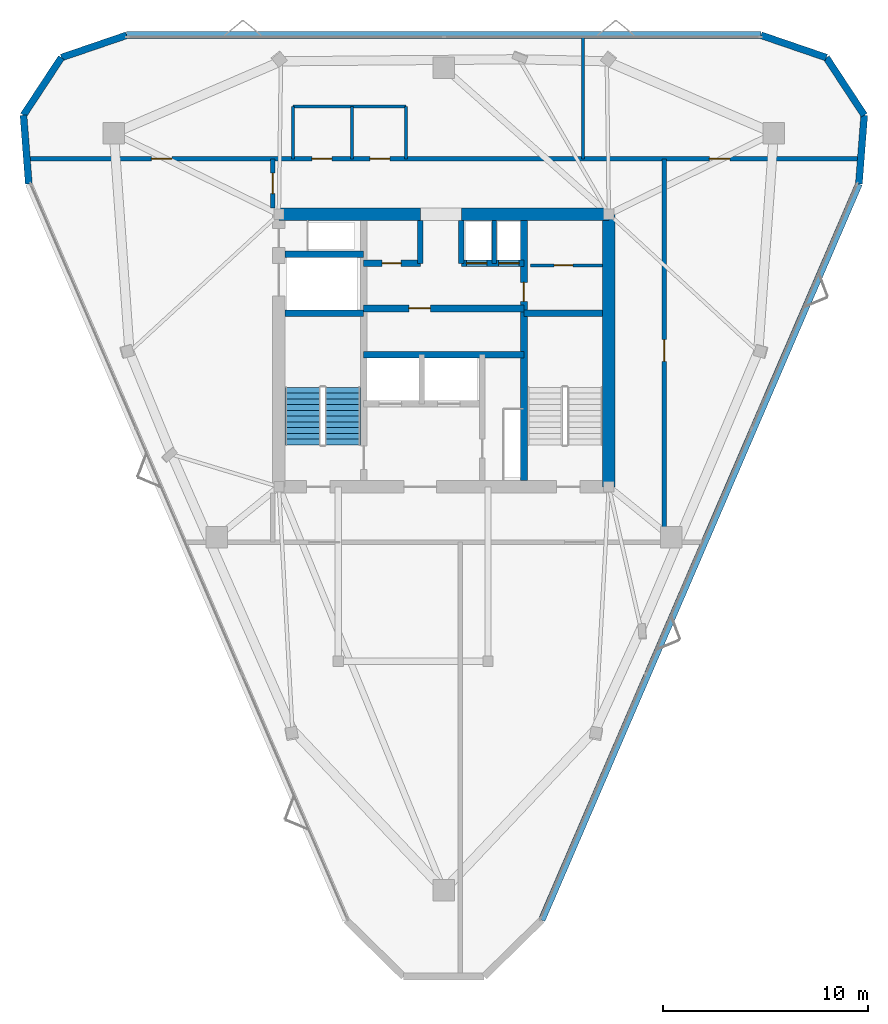
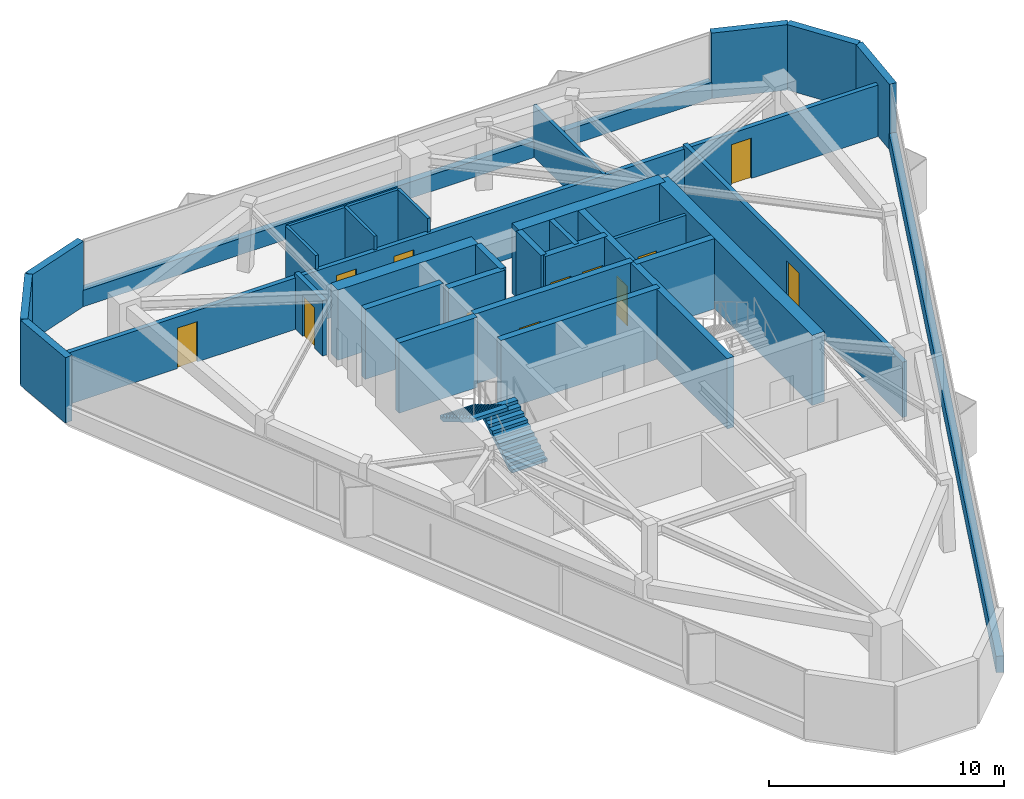
# One storey, part 7 of 9: 31 walls, 12 doors, 2 stair flights, 12 openings, 1 element without a shape of its own.
"""IFC4 building model written with IfcOpenShell, lengths in metres."""

from ifc_helpers import new_model, si_unit, direction, frame, frame_2d, origin, place, context, subcontext, project, spatial, polyline, rectangle, outline, extrude, material, layer, layer_set, type_object, element, fill, aggregate, save


model = new_model("IFC4")

# Units and contexts
model_context = context("Model", 3, precision=1e-05, world=origin(), true_north=direction((0.0, 1.0)))
body_context = subcontext(model_context, "Body", "Model", "MODEL_VIEW")
ifc_project = project(units=[si_unit("LENGTHUNIT", "METRE"), si_unit("AREAUNIT", "SQUARE_METRE"), si_unit("VOLUMEUNIT", "CUBIC_METRE"), si_unit("PLANEANGLEUNIT", "RADIAN"), si_unit("MASSUNIT", "GRAM", prefix="KILO")], contexts=[model_context])

# Site, building, storey
site_placement = place(None, origin())
site = spatial("IfcSite", under=ifc_project, at=site_placement, CompositionType="ELEMENT")
building_placement = place(site_placement, origin())
building = spatial("IfcBuilding", under=site, at=building_placement, Name="Talyreon Biosciences Tower", CompositionType="ELEMENT")
storey_placement = place(building_placement, frame((0.0, 0.0, 305.699951171875)))
storey = spatial("IfcBuildingStorey", under=building, at=storey_placement, Name="L81", CompositionType="ELEMENT", Elevation=305.699951171875)

# Walls
ifc_material_1 = material(Name="Concrete C50/60", Category="concrete")
ifc_layer_1 = layer(ifc_material_1, 0.219970703125)
ifc_layer_set_1 = layer_set([ifc_layer_1], Name="Concrete C50/60")
wall_type_1 = type_object("IfcWallType", Name="CoreShearWall_220", PredefinedType="SHEAR", material=ifc_layer_set_1)
wall_1_placement = place(storey_placement, frame((68.4599609375, 72.25, 0.0), z_axis=(0.0, 0.0, 1.0), x_axis=(0.0, 1.0, 0.0)))
element("IfcWall", 1, at=wall_1_placement, inside=storey, type_object=wall_type_1, Name="L81 Core Shaft Wall SWPHD", PredefinedType="SHEAR", context=body_context, shape_type="SweptSolid", body=[
    extrude(rectangle(XDim=2.10009765625, YDim=0.219970703125, at=frame_2d((1.050048828125, 0.0))), origin(), (0.0, 0.0, 1.0), 3.650146484375),
])
ifc_layer_2 = layer(ifc_material_1, 0.280029296875)
ifc_layer_set_2 = layer_set([ifc_layer_2], Name="Concrete C50/60")
wall_type_2 = type_object("IfcWallType", Name="CoreShearWall_280", PredefinedType="SHEAR", material=ifc_layer_set_2)
for number, where, z_axis, x_axis, name in (
    (2, (64.85009765625, 72.25, 0.0), (0.0, 0.0, 1.0), (0.0, 1.0, 0.0), "L81 Core Shaft Wall SWTHW"),
    (3, (66.85009765625, 72.25, 0.0), (0.0, 0.0, 1.0), (0.0, 1.0, 0.0), "L81 Core Shaft Wall SWTHE"),
):
    element("IfcWall", number, at=place(storey_placement, frame(where, z_axis=z_axis, x_axis=x_axis)), inside=storey, type_object=wall_type_2, Name=name, PredefinedType="SHEAR", context=body_context, shape_type="SweptSolid", body=[
        extrude(rectangle(XDim=2.10009765625, YDim=0.280029296875, at=frame_2d((1.050048828125, 0.0))), origin(), (0.0, 0.0, 1.0), 3.650146484375),
    ])

# Wall, opening, door
ifc_layer_3 = layer(ifc_material_1, 0.320068359375)
ifc_layer_set_3 = layer_set([ifc_layer_3], Name="Concrete C50/60")
wall_type_3 = type_object("IfcWallType", Name="CoreShearWall_320", PredefinedType="SHEAR", material=ifc_layer_set_3)
wall_2_placement = place(storey_placement, frame((69.909912109375, 61.64990234375, 0.0), z_axis=(0.0, 0.0, 1.0), x_axis=(0.0, 1.0, 0.0)))
wall_2 = element("IfcWall", 4, at=wall_2_placement, inside=storey, type_object=wall_type_3, Name="L81 Core Shaft Wall SW2W", PredefinedType="SHEAR", context=body_context, shape_type="SweptSolid", body=[
    extrude(rectangle(XDim=12.7001953125, YDim=0.320068359375, at=frame_2d((6.35009765625, 0.0))), origin(), (0.0, 0.0, 1.0), 3.650146484375),
])
opening_1_placement = place(wall_2_placement, frame((8.75, 0.0, 0.0)))
opening_1 = element("IfcOpeningElement", 5, at=opening_1_placement, cuts=wall_2, Name="Opening DR-L81-CSRV", PredefinedType="OPENING", context=body_context, shape_type="SweptSolid", body=[
    extrude(rectangle(XDim=0.919921875, YDim=2.050048828125, at=frame_2d((0.4599609375, 1.02490234375))), frame((0.0, 0.169921875, 0.0), z_axis=(0.0, -1.0, 0.0), x_axis=(1.0, 0.0, 0.0)), (0.0, 0.0, 1.0), 0.340087890625),
])
ifc_material_2 = material(Name="Painted steel fire-rated riser door", Category="steel")
door_type_1 = type_object("IfcDoorType", Name="RiserPlantAccessDoor_920x2050", OperationType="NOTDEFINED", PredefinedType="DOOR", material=ifc_material_2)
door_1_placement = place(opening_1_placement, origin())
door_1 = element("IfcDoor", 6, at=door_1_placement, inside=storey, type_object=door_type_1, Name="L81 Core Door DR-L81-CSRV", OperationType="SINGLE_SWING_RIGHT", OverallHeight=2.050048828125, OverallWidth=0.919921875, PredefinedType="DOOR", context=body_context, shape_type="SweptSolid", body=[
    extrude(rectangle(XDim=0.919921875, YDim=2.050048828125, at=frame_2d((0.4599609375, 1.02490234375))), frame((0.0, 0.02490234375, 0.0), z_axis=(0.0, -1.0, 0.0), x_axis=(1.0, 0.0, 0.0)), (0.0, 0.0, 1.0), 0.050048828125),
])
fill(opening_1, door_1)

# Walls
for number, where, z_axis, x_axis, name in (
    (7, (58.25, 69.81005859375, 0.0), (0.0, 0.0, 1.0), (1.0, 0.0, 0.0), "L81 Core Shaft Wall SW1N"),
    (8, (69.909912109375, 69.81005859375, 0.0), (0.0, 0.0, 1.0), (1.0, 0.0, 0.0), "L81 Core Shaft Wall SW2N"),
    (9, (58.25, 72.699951171875, 0.0), (0.0, 0.0, 1.0), (1.0, 0.0, 0.0), "L81 Core Shaft Wall SWGLN"),
):
    element("IfcWall", number, at=place(storey_placement, frame(where, z_axis=z_axis, x_axis=x_axis)), inside=storey, type_object=wall_type_3, Name=name, PredefinedType="SHEAR", context=body_context, shape_type="SweptSolid", body=[
        extrude(rectangle(XDim=3.840087890625, YDim=0.320068359375, at=frame_2d((1.919921875, 0.0))), origin(), (0.0, 0.0, 1.0), 3.650146484375),
    ])
wall_3_placement = place(storey_placement, frame((62.090087890625, 67.800048828125, 0.0), z_axis=(0.0, 0.0, 1.0), x_axis=(1.0, 0.0, 0.0)))
element("IfcWall", 10, at=wall_3_placement, inside=storey, type_object=wall_type_3, Name="L81 Core Shaft Wall SWSHM", PredefinedType="SHEAR", context=body_context, shape_type="SweptSolid", body=[
    extrude(rectangle(XDim=7.81982421875, YDim=0.320068359375, at=frame_2d((3.909912109375, 0.0))), origin(), (0.0, 0.0, 1.0), 3.650146484375),
])

# Wall, opening, door
wall_4_placement = place(storey_placement, frame((62.090087890625, 70.050048828125, 0.0), z_axis=(0.0, 0.0, 1.0), x_axis=(1.0, 0.0, 0.0)))
wall_4 = element("IfcWall", 11, at=wall_4_placement, inside=storey, type_object=wall_type_3, Name="L81 Core Shaft Wall SWSPN", PredefinedType="SHEAR", context=body_context, shape_type="SweptSolid", body=[
    extrude(rectangle(XDim=7.81982421875, YDim=0.320068359375, at=frame_2d((3.909912109375, 0.0))), origin(), (0.0, 0.0, 1.0), 3.650146484375),
])
opening_2_placement = place(wall_4_placement, frame((2.199951171875, 0.0, 0.0)))
opening_2 = element("IfcOpeningElement", 12, at=opening_2_placement, cuts=wall_4, Name="Opening DR-L81-PLPMFREE", PredefinedType="OPENING", context=body_context, shape_type="SweptSolid", body=[
    extrude(rectangle(XDim=1.050048828125, YDim=2.14990234375, at=frame_2d((0.52490234375, 1.074951171875))), frame((0.0, 0.169921875, 0.0), z_axis=(0.0, -1.0, 0.0), x_axis=(1.0, 0.0, 0.0)), (0.0, 0.0, 1.0), 0.340087890625),
])
ifc_material_3 = material(Name="Acoustic timber-core laboratory door", Category="wood")
door_type_2 = type_object("IfcDoorType", Name="DryLabSingleDoor_1050x2150", OperationType="NOTDEFINED", PredefinedType="DOOR", material=ifc_material_3)
door_2_placement = place(opening_2_placement, origin())
door_2 = element("IfcDoor", 13, at=door_2_placement, inside=storey, type_object=door_type_2, Name="L81 Core Door DR-L81-PLPMFREE", OperationType="SINGLE_SWING_LEFT", OverallHeight=2.14990234375, OverallWidth=1.050048828125, PredefinedType="DOOR", context=body_context, shape_type="SweptSolid", body=[
    extrude(rectangle(XDim=1.050048828125, YDim=2.14990234375, at=frame_2d((0.52490234375, 1.074951171875))), frame((0.0, 0.02490234375, 0.0), z_axis=(0.0, -1.0, 0.0), x_axis=(1.0, 0.0, 0.0)), (0.0, 0.0, 1.0), 0.050048828125),
])
fill(opening_2, door_2)

wall_5_placement = place(storey_placement, frame((62.090087890625, 72.25, 0.0), z_axis=(0.0, 0.0, 1.0), x_axis=(1.0, 0.0, 0.0)))
wall_5 = element("IfcWall", 14, at=wall_5_placement, inside=storey, type_object=wall_type_3, Name="L81 Core Shaft Wall SWNPW", PredefinedType="SHEAR", context=body_context, shape_type="SweptSolid", body=[
    extrude(rectangle(XDim=2.760009765625, YDim=0.320068359375, at=frame_2d((1.3798828125, 0.0))), origin(), (0.0, 0.0, 1.0), 3.650146484375),
])
opening_3_placement = place(wall_5_placement, frame((0.89990234375, 0.0, 0.0)))
opening_3 = element("IfcOpeningElement", 15, at=opening_3_placement, cuts=wall_5, Name="Opening DR-L81-PM2FREE", PredefinedType="OPENING", context=body_context, shape_type="SweptSolid", body=[
    extrude(rectangle(XDim=0.919921875, YDim=2.050048828125, at=frame_2d((0.4599609375, 1.02490234375))), frame((0.0, 0.169921875, 0.0), z_axis=(0.0, -1.0, 0.0), x_axis=(1.0, 0.0, 0.0)), (0.0, 0.0, 1.0), 0.340087890625),
])
door_3_placement = place(opening_3_placement, origin())
door_3 = element("IfcDoor", 16, at=door_3_placement, inside=storey, type_object=door_type_1, Name="L81 Core Door DR-L81-PM2FREE", OperationType="SINGLE_SWING_RIGHT", OverallHeight=2.050048828125, OverallWidth=0.919921875, PredefinedType="DOOR", context=body_context, shape_type="SweptSolid", body=[
    extrude(rectangle(XDim=0.919921875, YDim=2.050048828125, at=frame_2d((0.4599609375, 1.02490234375))), frame((0.0, 0.02490234375, 0.0), z_axis=(0.0, -1.0, 0.0), x_axis=(1.0, 0.0, 0.0)), (0.0, 0.0, 1.0), 0.050048828125),
])
fill(opening_3, door_3)

# Wall, openings, doors
wall_6_placement = place(storey_placement, frame((66.85009765625, 72.25, 0.0), z_axis=(0.0, 0.0, 1.0), x_axis=(1.0, 0.0, 0.0)))
wall_6 = element("IfcWall", 17, at=wall_6_placement, inside=storey, type_object=wall_type_3, Name="L81 Core Shaft Wall SWNPE", PredefinedType="SHEAR", context=body_context, shape_type="SweptSolid", body=[
    extrude(rectangle(XDim=3.059814453125, YDim=0.320068359375, at=frame_2d((1.52978515625, 0.0))), origin(), (0.0, 0.0, 1.0), 3.650146484375),
])
opening_4_placement = place(wall_6_placement, frame((0.25, 0.0, 0.0)))
opening_4 = element("IfcOpeningElement", 18, at=opening_4_placement, cuts=wall_6, Name="Opening LD-L81-PH1", PredefinedType="OPENING", context=body_context, shape_type="SweptSolid", body=[
    extrude(rectangle(XDim=1.0, YDim=2.199951171875, at=frame_2d((0.5, 1.10009765625))), frame((0.0, 0.169921875, 0.0), z_axis=(0.0, -1.0, 0.0), x_axis=(1.0, 0.0, 0.0)), (0.0, 0.0, 1.0), 0.340087890625),
])
opening_5_placement = place(wall_6_placement, frame((1.820068359375, 0.0, 0.0)))
opening_5 = element("IfcOpeningElement", 19, at=opening_5_placement, cuts=wall_6, Name="Opening LD-L81-PH2", PredefinedType="OPENING", context=body_context, shape_type="SweptSolid", body=[
    extrude(rectangle(XDim=1.0, YDim=2.199951171875, at=frame_2d((0.5, 1.10009765625))), frame((0.0, 0.169921875, 0.0), z_axis=(0.0, -1.0, 0.0), x_axis=(1.0, 0.0, 0.0)), (0.0, 0.0, 1.0), 0.340087890625),
])
ifc_material_4 = material(Name="Brushed stainless-steel lift landing door", Category="steel")
door_type_3 = type_object("IfcDoorType", Name="LiftSlidingLandingDoor_1100x2200", OperationType="SLIDING_TO_LEFT", PredefinedType="DOOR", material=ifc_material_4)
door_4_placement = place(opening_4_placement, origin())
door_4 = element("IfcDoor", 20, at=door_4_placement, inside=storey, type_object=door_type_3, Name="L81 Core Door LD-L81-PH1", OperationType="SLIDING_TO_LEFT", OverallHeight=2.199951171875, OverallWidth=1.0, PredefinedType="DOOR", context=body_context, shape_type="SweptSolid", body=[
    extrude(rectangle(XDim=1.0, YDim=2.199951171875, at=frame_2d((0.5, 1.10009765625))), frame((0.0, 0.02490234375, 0.0), z_axis=(0.0, -1.0, 0.0), x_axis=(1.0, 0.0, 0.0)), (0.0, 0.0, 1.0), 0.050048828125),
])
fill(opening_4, door_4)
door_5_placement = place(opening_5_placement, origin())
door_5 = element("IfcDoor", 21, at=door_5_placement, inside=storey, type_object=door_type_3, Name="L81 Core Door LD-L81-PH2", OperationType="SLIDING_TO_LEFT", OverallHeight=2.199951171875, OverallWidth=1.0, PredefinedType="DOOR", context=body_context, shape_type="SweptSolid", body=[
    extrude(rectangle(XDim=1.0, YDim=2.199951171875, at=frame_2d((0.5, 1.10009765625))), frame((0.0, 0.02490234375, 0.0), z_axis=(0.0, -1.0, 0.0), x_axis=(1.0, 0.0, 0.0)), (0.0, 0.0, 1.0), 0.050048828125),
])
fill(opening_5, door_5)

# Walls
ifc_layer_4 = layer(ifc_material_1, 0.60009765625)
ifc_layer_set_4 = layer_set([ifc_layer_4], Name="Concrete C50/60")
wall_type_4 = type_object("IfcWallType", Name="CoreShearWall_600", PredefinedType="SHEAR", material=ifc_layer_set_4)
wall_7_placement = place(storey_placement, frame((74.050048828125, 61.35009765625, 0.0), z_axis=(0.0, 0.0, 1.0), x_axis=(0.0, 1.0, 0.0)))
element("IfcWall", 22, at=wall_7_placement, inside=storey, type_object=wall_type_4, Name="L81 Core Shear Wall E", PredefinedType="SHEAR", context=body_context, shape_type="SweptSolid", body=[
    extrude(rectangle(XDim=13.2998046875, YDim=0.60009765625, at=frame_2d((6.64990234375, 0.0))), origin(), (0.0, 0.0, 1.0), 3.650146484375),
])
wall_8_placement = place(storey_placement, frame((74.050048828125, 74.64990234375, 0.0), z_axis=(0.0, 0.0, 1.0), x_axis=(-1.0, 0.0, 0.0)))
element("IfcWall", 23, at=wall_8_placement, inside=storey, type_object=wall_type_4, Name="L81 Core Shear Wall NE", PredefinedType="SHEAR", context=body_context, shape_type="SweptSolid", body=[
    extrude(rectangle(XDim=7.199951171875, YDim=0.60009765625, at=frame_2d((3.60009765625, 0.0))), origin(), (0.0, 0.0, 1.0), 3.650146484375),
])
wall_9_placement = place(storey_placement, frame((64.85009765625, 74.64990234375, 0.0), z_axis=(0.0, 0.0, 1.0), x_axis=(-1.0, 0.0, 0.0)))
element("IfcWall", 24, at=wall_9_placement, inside=storey, type_object=wall_type_4, Name="L81 Core Shear Wall NW", PredefinedType="SHEAR", context=body_context, shape_type="SweptSolid", body=[
    extrude(rectangle(XDim=6.900146484375, YDim=0.60009765625, at=frame_2d((3.4501953125, 0.0))), origin(), (0.0, 0.0, 1.0), 3.650146484375),
])

# Wall, openings, doors
ifc_material_5 = material(Name="Gypsum fireboard acoustic stud", Category="gypsum")
ifc_layer_5 = layer(ifc_material_5, 0.219970703125)
ifc_layer_set_5 = layer_set([ifc_layer_5], Name="Gypsum fireboard acoustic stud")
wall_type_5 = type_object("IfcWallType", Name="CorridorRatedPartition_220", PredefinedType="PARTITIONING", material=ifc_layer_set_5)
wall_10_placement = place(storey_placement, frame((45.738037109375, 77.35009765625, 0.0), z_axis=(0.0, 0.0, 1.0), x_axis=(1.0, 0.0, 0.0)))
wall_10 = element("IfcWall", 25, at=wall_10_placement, inside=storey, type_object=wall_type_5, Name="L81 Interior Wall IW-L81-COR-N", PredefinedType="PARTITIONING", context=body_context, shape_type="SweptSolid", body=[
    extrude(rectangle(XDim=40.52392578125, YDim=0.219970703125, at=frame_2d((20.261962890625, 0.0))), origin(), (0.0, 0.0, 1.0), 2.679931640625),
])
opening_6_placement = place(wall_10_placement, frame((13.822021484375, 0.0, 0.0)))
opening_6 = element("IfcOpeningElement", 26, at=opening_6_placement, cuts=wall_10, Name="Opening DR-L81-WC", PredefinedType="OPENING", context=body_context, shape_type="SweptSolid", body=[
    extrude(rectangle(XDim=0.97998046875, YDim=2.10009765625, at=frame_2d((0.489990234375, 1.050048828125))), frame((0.0, 0.119873046875, 0.0), z_axis=(0.0, -1.0, 0.0), x_axis=(1.0, 0.0, 0.0)), (0.0, 0.0, 1.0), 0.239990234375),
])
opening_7_placement = place(wall_10_placement, frame((16.64697265625, 0.0, 0.0)))
opening_7 = element("IfcOpeningElement", 27, at=opening_7_placement, cuts=wall_10, Name="Opening DR-L81-AWC", PredefinedType="OPENING", context=body_context, shape_type="SweptSolid", body=[
    extrude(rectangle(XDim=0.97998046875, YDim=2.10009765625, at=frame_2d((0.489990234375, 1.050048828125))), frame((0.0, 0.119873046875, 0.0), z_axis=(0.0, -1.0, 0.0), x_axis=(1.0, 0.0, 0.0)), (0.0, 0.0, 1.0), 0.239990234375),
])
opening_8_placement = place(wall_10_placement, frame((5.990966796875, 0.0, 0.0)))
opening_8 = element("IfcOpeningElement", 28, at=opening_8_placement, cuts=wall_10, Name="Opening DR-L81-N1A", PredefinedType="OPENING", context=body_context, shape_type="SweptSolid", body=[
    extrude(rectangle(XDim=1.0, YDim=2.10009765625, at=frame_2d((0.5, 1.050048828125))), frame((0.0, 0.119873046875, 0.0), z_axis=(0.0, -1.0, 0.0), x_axis=(1.0, 0.0, 0.0)), (0.0, 0.0, 1.0), 0.239990234375),
])
opening_9_placement = place(wall_10_placement, frame((33.212890625, 0.0, 0.0)))
opening_9 = element("IfcOpeningElement", 29, at=opening_9_placement, cuts=wall_10, Name="Opening DR-L81-N2A", PredefinedType="OPENING", context=body_context, shape_type="SweptSolid", body=[
    extrude(rectangle(XDim=1.0, YDim=2.10009765625, at=frame_2d((0.5, 1.050048828125))), frame((0.0, 0.119873046875, 0.0), z_axis=(0.0, -1.0, 0.0), x_axis=(1.0, 0.0, 0.0)), (0.0, 0.0, 1.0), 0.239990234375),
])
ifc_material_6 = material(Name="Laminate moisture-resistant door", Category="wood")
door_type_4 = type_object("IfcDoorType", Name="AccessibleToiletDoor_980x2100", OperationType="NOTDEFINED", PredefinedType="DOOR", material=ifc_material_6)
door_6_placement = place(opening_6_placement, origin())
door_6 = element("IfcDoor", 30, at=door_6_placement, inside=storey, type_object=door_type_4, Name="L81 Interior Door DR-L81-WC", OperationType="SINGLE_SWING_LEFT", OverallHeight=2.10009765625, OverallWidth=0.97998046875, PredefinedType="DOOR", context=body_context, shape_type="SweptSolid", body=[
    extrude(rectangle(XDim=0.97998046875, YDim=2.10009765625, at=frame_2d((0.489990234375, 1.050048828125))), frame((0.0, 0.02490234375, 0.0), z_axis=(0.0, -1.0, 0.0), x_axis=(1.0, 0.0, 0.0)), (0.0, 0.0, 1.0), 0.050048828125),
])
fill(opening_6, door_6)
door_7_placement = place(opening_7_placement, origin())
door_7 = element("IfcDoor", 31, at=door_7_placement, inside=storey, type_object=door_type_4, Name="L81 Interior Door DR-L81-AWC", OperationType="SINGLE_SWING_LEFT", OverallHeight=2.10009765625, OverallWidth=0.97998046875, PredefinedType="DOOR", context=body_context, shape_type="SweptSolid", body=[
    extrude(rectangle(XDim=0.97998046875, YDim=2.10009765625, at=frame_2d((0.489990234375, 1.050048828125))), frame((0.0, 0.02490234375, 0.0), z_axis=(0.0, -1.0, 0.0), x_axis=(1.0, 0.0, 0.0)), (0.0, 0.0, 1.0), 0.050048828125),
])
fill(opening_7, door_7)
ifc_material_7 = material(Name="Acoustic oak veneer office door", Category="wood")
door_type_5 = type_object("IfcDoorType", Name="WriteupOfficeDoor_1000x2100", OperationType="NOTDEFINED", PredefinedType="DOOR", material=ifc_material_7)
door_8_placement = place(opening_8_placement, origin())
door_8 = element("IfcDoor", 32, at=door_8_placement, inside=storey, type_object=door_type_5, Name="L81 Interior Door DR-L81-N1A", OperationType="SINGLE_SWING_LEFT", OverallHeight=2.10009765625, OverallWidth=1.0, PredefinedType="DOOR", context=body_context, shape_type="SweptSolid", body=[
    extrude(rectangle(XDim=1.0, YDim=2.10009765625, at=frame_2d((0.5, 1.050048828125))), frame((0.0, 0.02490234375, 0.0), z_axis=(0.0, -1.0, 0.0), x_axis=(1.0, 0.0, 0.0)), (0.0, 0.0, 1.0), 0.050048828125),
])
fill(opening_8, door_8)
door_9_placement = place(opening_9_placement, origin())
door_9 = element("IfcDoor", 33, at=door_9_placement, inside=storey, type_object=door_type_5, Name="L81 Interior Door DR-L81-N2A", OperationType="SINGLE_SWING_LEFT", OverallHeight=2.10009765625, OverallWidth=1.0, PredefinedType="DOOR", context=body_context, shape_type="SweptSolid", body=[
    extrude(rectangle(XDim=1.0, YDim=2.10009765625, at=frame_2d((0.5, 1.050048828125))), frame((0.0, 0.02490234375, 0.0), z_axis=(0.0, -1.0, 0.0), x_axis=(1.0, 0.0, 0.0)), (0.0, 0.0, 1.0), 0.050048828125),
])
fill(opening_9, door_9)

# Wall, opening, door
wall_11_placement = place(storey_placement, frame((57.64990234375, 74.949951171875, 0.0), z_axis=(0.0, 0.0, 1.0), x_axis=(0.0, 1.0, 0.0)))
wall_11 = element("IfcWall", 34, at=wall_11_placement, inside=storey, type_object=wall_type_5, Name="L81 Interior Wall IW-L81-WCAP-N", PredefinedType="PARTITIONING", context=body_context, shape_type="SweptSolid", body=[
    extrude(rectangle(XDim=2.400146484375, YDim=0.219970703125, at=frame_2d((1.2001953125, 0.0))), origin(), (0.0, 0.0, 1.0), 2.880126953125),
])
opening_10_placement = place(wall_11_placement, frame((0.699951171875, 0.0, 0.0)))
opening_10 = element("IfcOpeningElement", 35, at=opening_10_placement, cuts=wall_11, Name="Opening DR-L81-W1A", PredefinedType="OPENING", context=body_context, shape_type="SweptSolid", body=[
    extrude(rectangle(XDim=1.0, YDim=2.10009765625, at=frame_2d((0.5, 1.050048828125))), frame((0.0, 0.119873046875, 0.0), z_axis=(0.0, -1.0, 0.0), x_axis=(1.0, 0.0, 0.0)), (0.0, 0.0, 1.0), 0.239990234375),
])
door_10_placement = place(opening_10_placement, origin())
door_10 = element("IfcDoor", 36, at=door_10_placement, inside=storey, type_object=door_type_5, Name="L81 Interior Door DR-L81-W1A", OperationType="SINGLE_SWING_RIGHT", OverallHeight=2.10009765625, OverallWidth=1.0, PredefinedType="DOOR", context=body_context, shape_type="SweptSolid", body=[
    extrude(rectangle(XDim=1.0, YDim=2.10009765625, at=frame_2d((0.5, 1.050048828125))), frame((0.0, 0.02490234375, 0.0), z_axis=(0.0, -1.0, 0.0), x_axis=(1.0, 0.0, 0.0)), (0.0, 0.0, 1.0), 0.050048828125),
])
fill(opening_10, door_10)

wall_12_placement = place(storey_placement, frame((76.75, 58.64990234375, 0.0), z_axis=(0.0, 0.0, 1.0), x_axis=(0.0, 1.0, 0.0)))
wall_12 = element("IfcWall", 37, at=wall_12_placement, inside=storey, type_object=wall_type_5, Name="L81 Interior Wall IW-L81-COR-E", PredefinedType="PARTITIONING", context=body_context, shape_type="SweptSolid", body=[
    extrude(rectangle(XDim=18.7001953125, YDim=0.219970703125, at=frame_2d((9.35009765625, 0.0))), origin(), (0.0, 0.0, 1.0), 2.880126953125),
])
opening_11_placement = place(wall_12_placement, frame((8.824951171875, 0.0, 0.0)))
opening_11 = element("IfcOpeningElement", 38, at=opening_11_placement, cuts=wall_12, Name="Opening DR-L81-E1A", PredefinedType="OPENING", context=body_context, shape_type="SweptSolid", body=[
    extrude(rectangle(XDim=1.050048828125, YDim=2.14990234375, at=frame_2d((0.52490234375, 1.074951171875))), frame((0.0, 0.119873046875, 0.0), z_axis=(0.0, -1.0, 0.0), x_axis=(1.0, 0.0, 0.0)), (0.0, 0.0, 1.0), 0.239990234375),
])
door_11_placement = place(opening_11_placement, origin())
door_11 = element("IfcDoor", 39, at=door_11_placement, inside=storey, type_object=door_type_2, Name="L81 Interior Door DR-L81-E1A", OperationType="SINGLE_SWING_LEFT", OverallHeight=2.14990234375, OverallWidth=1.050048828125, PredefinedType="DOOR", context=body_context, shape_type="SweptSolid", body=[
    extrude(rectangle(XDim=1.050048828125, YDim=2.14990234375, at=frame_2d((0.52490234375, 1.074951171875))), frame((0.0, 0.02490234375, 0.0), z_axis=(0.0, -1.0, 0.0), x_axis=(1.0, 0.0, 0.0)), (0.0, 0.0, 1.0), 0.050048828125),
])
fill(opening_11, door_11)

ifc_material_8 = material(Name="Gypsum acoustic stud partition", Category="gypsum")
ifc_layer_6 = layer(ifc_material_8, 0.159912109375)
ifc_layer_set_6 = layer_set([ifc_layer_6], Name="Gypsum acoustic stud partition")
wall_type_6 = type_object("IfcWallType", Name="LabSeparationPartition_160", PredefinedType="PARTITIONING", material=ifc_layer_set_6)
wall_13_placement = place(storey_placement, frame((70.22998046875, 72.14990234375, 0.0), z_axis=(0.0, 0.0, 1.0), x_axis=(1.0, 0.0, 0.0)))
wall_13 = element("IfcWall", 40, at=wall_13_placement, inside=storey, type_object=wall_type_6, Name="L81 Interior Wall IW-L81-CSRV-H", PredefinedType="PARTITIONING", context=body_context, shape_type="SweptSolid", body=[
    extrude(rectangle(XDim=3.52001953125, YDim=0.159912109375, at=frame_2d((1.760009765625, 0.0))), origin(), (0.0, 0.0, 1.0), 3.400146484375),
])
opening_12_placement = place(wall_13_placement, frame((1.14990234375, 0.0, 0.0)))
opening_12 = element("IfcOpeningElement", 41, at=opening_12_placement, cuts=wall_13, Name="Opening DR-L81-CSRV-I", PredefinedType="OPENING", context=body_context, shape_type="SweptSolid", body=[
    extrude(rectangle(XDim=0.919921875, YDim=2.050048828125, at=frame_2d((0.4599609375, 1.02490234375))), frame((0.0, 0.08984375, 0.0), z_axis=(0.0, -1.0, 0.0), x_axis=(1.0, 0.0, 0.0)), (0.0, 0.0, 1.0), 0.179931640625),
])
door_12_placement = place(opening_12_placement, origin())
door_12 = element("IfcDoor", 42, at=door_12_placement, inside=storey, type_object=door_type_1, Name="L81 Interior Door DR-L81-CSRV-I", OperationType="SINGLE_SWING_LEFT", OverallHeight=2.050048828125, OverallWidth=0.919921875, PredefinedType="DOOR", context=body_context, shape_type="SweptSolid", body=[
    extrude(rectangle(XDim=0.919921875, YDim=2.050048828125, at=frame_2d((0.4599609375, 1.02490234375))), frame((0.0, 0.02490234375, 0.0), z_axis=(0.0, -1.0, 0.0), x_axis=(1.0, 0.0, 0.0)), (0.0, 0.0, 1.0), 0.050048828125),
])
fill(opening_12, door_12)

# Walls
wall_14_placement = place(storey_placement, frame((72.7900390625, 77.35009765625, 0.0), z_axis=(0.0, 0.0, 1.0), x_axis=(0.0, 1.0, 0.0)))
element("IfcWall", 43, at=wall_14_placement, inside=storey, type_object=wall_type_6, Name="L81 Interior Wall IW-L81-NDIV1", PredefinedType="PARTITIONING", context=body_context, shape_type="SweptSolid", body=[
    extrude(rectangle(XDim=5.9482421875, YDim=0.159912109375, at=frame_2d((2.97412109375, 0.0))), origin(), (0.0, 0.0, 1.0), 2.679931640625),
])
ifc_material_9 = material(Name="Precast concrete C45/55", Category="concrete")
ifc_layer_7 = layer(ifc_material_9, 0.340087890625)
ifc_layer_set_7 = layer_set([ifc_layer_7], Name="Precast concrete C45/55")
wall_type_7 = type_object("IfcWallType", Name="PrecastConcreteSpandrelWall_340", PredefinedType="STANDARD", material=ifc_layer_set_7)
wall_15_placement = place(storey_placement, frame((45.74755859375, 76.12548828125, 0.0), z_axis=(0.0, 0.0, 1.0), x_axis=(-0.07716791082, 0.997018110939, 0.0)))
element("IfcWall", 44, at=wall_15_placement, inside=storey, type_object=wall_type_7, Name="L81 Rounded-Corner Concrete Pier 01", PredefinedType="STANDARD", context=body_context, shape_type="SweptSolid", body=[
    extrude(rectangle(XDim=3.3662109375, YDim=0.340087890625, at=frame_2d((1.68310546875, 0.0))), origin(), (0.0, 0.0, 1.0), 3.400146484375),
])
wall_16_placement = place(storey_placement, frame((45.48779296875, 79.481689453125, 0.0), z_axis=(0.0, 0.0, 1.0), x_axis=(0.549652464566, 0.835393421208, 0.0)))
element("IfcWall", 45, at=wall_16_placement, inside=storey, type_object=wall_type_7, Name="L81 Rounded-Corner Concrete Pier 02", PredefinedType="STANDARD", context=body_context, shape_type="SweptSolid", body=[
    extrude(rectangle(XDim=3.366455078125, YDim=0.340087890625, at=frame_2d((1.68310546875, 0.0))), origin(), (0.0, 0.0, 1.0), 3.400146484375),
])
wall_17_placement = place(storey_placement, frame((47.338134765625, 82.2939453125, 0.0), z_axis=(0.0, 0.0, 1.0), x_axis=(0.946188532632, 0.323615915423, 0.0)))
element("IfcWall", 46, at=wall_17_placement, inside=storey, type_object=wall_type_7, Name="L81 Rounded-Corner Concrete Pier 03", PredefinedType="STANDARD", context=body_context, shape_type="SweptSolid", body=[
    extrude(rectangle(XDim=3.3662109375, YDim=0.340087890625, at=frame_2d((1.68310546875, 0.0))), origin(), (0.0, 0.0, 1.0), 3.400146484375),
])
wall_18_placement = place(storey_placement, frame((50.523193359375, 83.38330078125, 0.0), z_axis=(0.0, 0.0, 1.0), x_axis=(1.0, 0.0, 0.0)))
element("IfcWall", 47, at=wall_18_placement, inside=storey, type_object=wall_type_7, Name="L81 Expressed Concrete Sill Wall 04", PredefinedType="STANDARD", context=body_context, shape_type="SweptSolid", body=[
    extrude(rectangle(XDim=30.95361328125, YDim=0.340087890625, at=frame_2d((15.476806640625, 0.0))), origin(), (0.0, 0.0, 1.0), 0.85009765625),
])
wall_19_placement = place(storey_placement, frame((81.476806640625, 83.38330078125, 0.0), z_axis=(0.0, 0.0, 1.0), x_axis=(0.946188532632, -0.323615915423, 0.0)))
element("IfcWall", 48, at=wall_19_placement, inside=storey, type_object=wall_type_7, Name="L81 Rounded-Corner Concrete Pier 05", PredefinedType="STANDARD", context=body_context, shape_type="SweptSolid", body=[
    extrude(rectangle(XDim=3.3662109375, YDim=0.340087890625, at=frame_2d((1.68310546875, 0.0))), origin(), (0.0, 0.0, 1.0), 3.400146484375),
])
wall_20_placement = place(storey_placement, frame((84.661865234375, 82.2939453125, 0.0), z_axis=(0.0, 0.0, 1.0), x_axis=(0.549652464566, -0.835393421208, 0.0)))
element("IfcWall", 49, at=wall_20_placement, inside=storey, type_object=wall_type_7, Name="L81 Rounded-Corner Concrete Pier 06", PredefinedType="STANDARD", context=body_context, shape_type="SweptSolid", body=[
    extrude(rectangle(XDim=3.366455078125, YDim=0.340087890625, at=frame_2d((1.68310546875, 0.0))), origin(), (0.0, 0.0, 1.0), 3.400146484375),
])
wall_21_placement = place(storey_placement, frame((86.51220703125, 79.481689453125, 0.0), z_axis=(0.0, 0.0, 1.0), x_axis=(-0.07716791082, -0.997018110939, 0.0)))
element("IfcWall", 50, at=wall_21_placement, inside=storey, type_object=wall_type_7, Name="L81 Rounded-Corner Concrete Pier 07", PredefinedType="STANDARD", context=body_context, shape_type="SweptSolid", body=[
    extrude(rectangle(XDim=3.3662109375, YDim=0.340087890625, at=frame_2d((1.68310546875, 0.0))), origin(), (0.0, 0.0, 1.0), 3.400146484375),
])
wall_22_placement = place(storey_placement, frame((86.25244140625, 76.12548828125, 0.0), z_axis=(0.0, 0.0, 1.0), x_axis=(-0.395743298443, -0.918361171728, 0.0)))
element("IfcWall", 51, at=wall_22_placement, inside=storey, type_object=wall_type_7, Name="L81 Expressed Concrete Sill Wall 08", PredefinedType="STANDARD", context=body_context, shape_type="SweptSolid", body=[
    extrude(rectangle(XDim=39.10888671875, YDim=0.340087890625, at=frame_2d((19.554443359375, 0.0))), origin(), (0.0, 0.0, 1.0), 0.85009765625),
])
ifc_material_10 = material(Name="Moisture-resistant cement-board stud", Category="gypsum")
ifc_layer_8 = layer(ifc_material_10, 0.14501953125)
ifc_layer_set_8 = layer_set([ifc_layer_8], Name="Moisture-resistant cement-board stud")
wall_type_8 = type_object("IfcWallType", Name="WetRoomPartition_145", PredefinedType="PARTITIONING", material=ifc_layer_set_8)
for number, where, z_axis, x_axis, name in (
    (52, (58.64990234375, 77.35009765625, 0.0), (0.0, 0.0, 1.0), (0.0, 1.0, 0.0), "L81 Interior Wall IW-L81-WCL"),
    (53, (61.52490234375, 77.35009765625, 0.0), (0.0, 0.0, 1.0), (0.0, 1.0, 0.0), "L81 Interior Wall IW-L81-WCM"),
    (54, (64.14990234375, 77.35009765625, 0.0), (0.0, 0.0, 1.0), (0.0, 1.0, 0.0), "L81 Interior Wall IW-L81-WCR"),
):
    element("IfcWall", number, at=place(storey_placement, frame(where, z_axis=z_axis, x_axis=x_axis)), inside=storey, type_object=wall_type_8, Name=name, PredefinedType="PARTITIONING", context=body_context, shape_type="SweptSolid", body=[
        extrude(rectangle(XDim=2.5498046875, YDim=0.14501953125, at=frame_2d((1.27490234375, 0.0))), origin(), (0.0, 0.0, 1.0), 3.400146484375),
    ])
wall_23_placement = place(storey_placement, frame((58.64990234375, 79.89990234375, 0.0), z_axis=(0.0, 0.0, 1.0), x_axis=(1.0, 0.0, 0.0)))
element("IfcWall", 55, at=wall_23_placement, inside=storey, type_object=wall_type_8, Name="L81 Interior Wall IW-L81-WCT", PredefinedType="PARTITIONING", context=body_context, shape_type="SweptSolid", body=[
    extrude(rectangle(XDim=5.5, YDim=0.14501953125, at=frame_2d((2.75, 0.0))), origin(), (0.0, 0.0, 1.0), 3.400146484375),
])

# Stair, stair flights
ifc_material_11 = material(Name="Concrete C40/50", Category="concrete")
stair_type = type_object("IfcStairType", Name="DoglegEscapeStair_3650", PredefinedType="HALF_TURN_STAIR", material=ifc_material_11)
stair_placement = place(storey_placement, origin())
stair = element("IfcStair", 56, at=stair_placement, inside=storey, type_object=stair_type, Name="L81 Core Escape Stair 1", PredefinedType="HALF_TURN_STAIR")
stair_flight_type = type_object("IfcStairFlightType", Name="PrecastStairFlight_3650", PredefinedType="STRAIGHT", material=ifc_material_11)
stair_flight_1_placement = place(storey_placement, frame((61.06005859375, 63.39990234375, 0.0), z_axis=(0.0, 0.0, 1.0), x_axis=(0.0, 1.0, 0.0)))
stair_flight_1 = element("IfcStairFlight", 57, at=stair_flight_1_placement, type_object=stair_flight_type, Name="ST-1 flight 1", NumberOfRisers=11, NumberOfTreads=10, PredefinedType="STRAIGHT", RiserHeight=0.165909091, TreadLength=0.28, context=body_context, shape_type="SweptSolid", body=[
    extrude(outline(polyline([(0.0, 0.0), (0.0, 0.166015625), (0.280029296875, 0.166015625), (0.280029296875, 0.331787109375), (0.56005859375, 0.331787109375), (0.56005859375, 0.497802734375), (0.840087890625, 0.497802734375), (0.840087890625, 0.66357421875), (1.1201171875, 0.66357421875), (1.1201171875, 0.82958984375), (1.39990234375, 0.82958984375), (1.39990234375, 0.995361328125), (1.679931640625, 0.995361328125), (1.679931640625, 1.161376953125), (1.9599609375, 1.161376953125), (1.9599609375, 1.327392578125), (2.239990234375, 1.327392578125), (2.239990234375, 1.4931640625), (2.52001953125, 1.4931640625), (2.52001953125, 1.6591796875), (2.800048828125, 1.6591796875), (2.800048828125, 1.824951171875), (2.800048828125, 1.48486328125), (0.2939453125, 0.0), (0.0, 0.0)])), frame((0.0, 0.8701171875, 0.0), z_axis=(0.0, -1.0, 0.0), x_axis=(1.0, 0.0, 0.0)), (0.0, 0.0, 1.0), 1.739990234375),
])
stair_flight_2_placement = place(storey_placement, frame((59.1201171875, 66.199951171875, 1.824951171875), z_axis=(0.0, 0.0, 1.0), x_axis=(0.0, -1.0, 0.0)))
stair_flight_2 = element("IfcStairFlight", 58, at=stair_flight_2_placement, type_object=stair_flight_type, Name="ST-1 flight 2", NumberOfRisers=11, NumberOfTreads=10, PredefinedType="STRAIGHT", RiserHeight=0.165909091, TreadLength=0.28, context=body_context, shape_type="SweptSolid", body=[
    extrude(outline(polyline([(0.0, 0.0), (0.0, 0.166015625), (0.280029296875, 0.166015625), (0.280029296875, 0.331787109375), (0.56005859375, 0.331787109375), (0.56005859375, 0.497802734375), (0.840087890625, 0.497802734375), (0.840087890625, 0.66357421875), (1.1201171875, 0.66357421875), (1.1201171875, 0.82958984375), (1.39990234375, 0.82958984375), (1.39990234375, 0.995361328125), (1.679931640625, 0.995361328125), (1.679931640625, 1.161376953125), (1.9599609375, 1.161376953125), (1.9599609375, 1.327392578125), (2.239990234375, 1.327392578125), (2.239990234375, 1.4931640625), (2.52001953125, 1.4931640625), (2.52001953125, 1.6591796875), (2.800048828125, 1.6591796875), (2.800048828125, 1.824951171875), (2.800048828125, 1.48486328125), (0.2939453125, 0.0), (0.0, 0.0)])), frame((0.0, 0.8701171875, 0.0), z_axis=(0.0, -1.0, 0.0), x_axis=(1.0, 0.0, 0.0)), (0.0, 0.0, 1.0), 1.739990234375),
])
aggregate(stair, [stair_flight_1, stair_flight_2])

save(model, "model.ifc")
